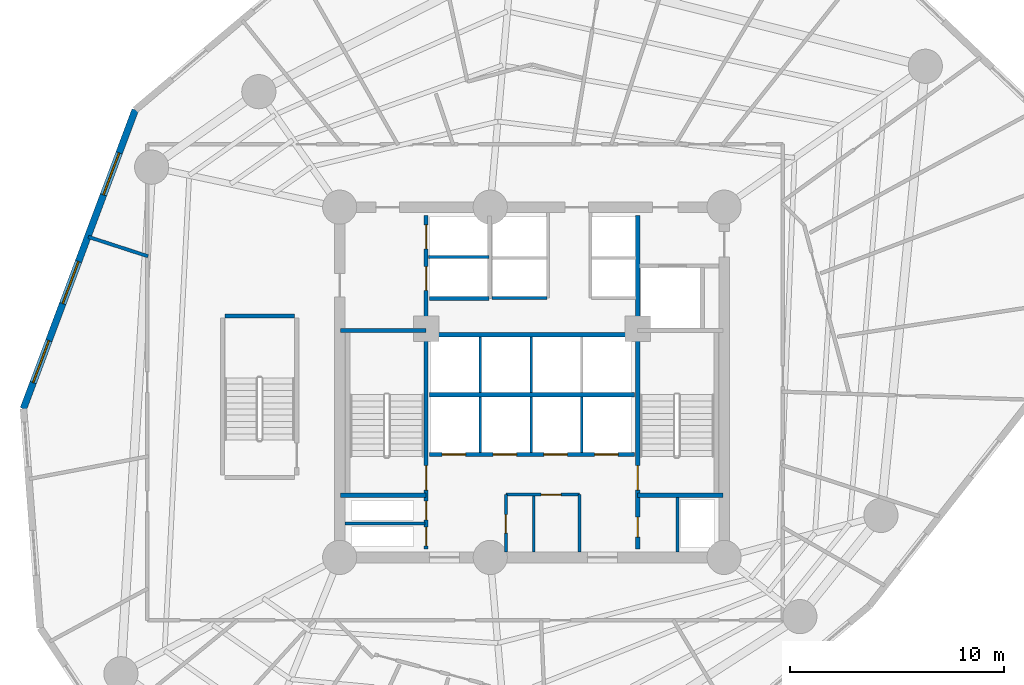
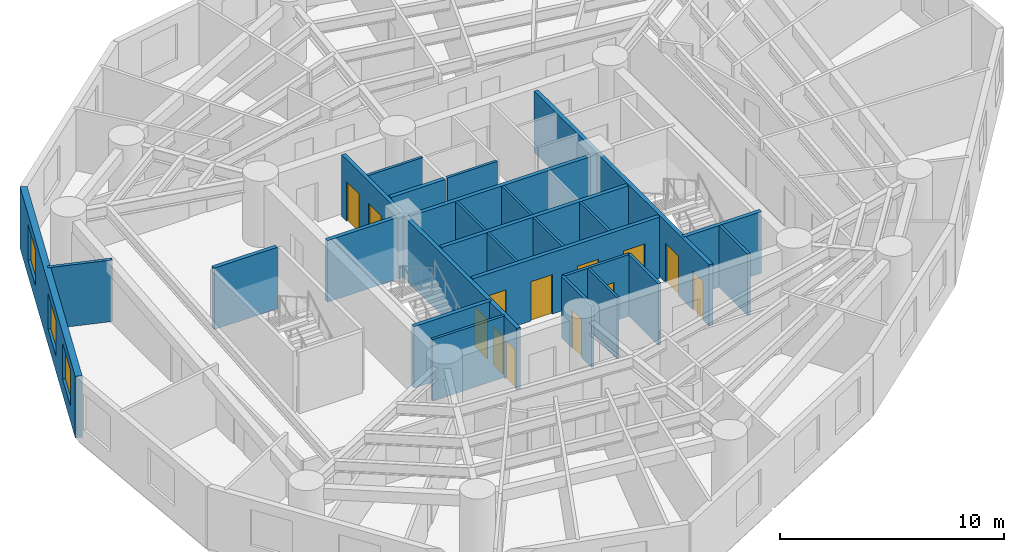
# One storey, part 4 of 8: 25 walls, 13 doors, 3 windows, 16 openings.
"""IFC4 building model written with IfcOpenShell, lengths in metres."""

from ifc_helpers import new_model, si_unit, direction, frame, frame_2d, origin, origin_with_axes, place, context, subcontext, project, spatial, rectangle, extrude, source, transform, mapped, material, layer, layer_set, type_object, element, fill, save


model = new_model("IFC4")

# Units and contexts
model_context = context("Model", 3, precision=1e-05, world=origin(), true_north=direction((0.0, 1.0)))
body_context = subcontext(model_context, "Body", "Model", "MODEL_VIEW")
ifc_project = project(units=[si_unit("LENGTHUNIT", "METRE"), si_unit("AREAUNIT", "SQUARE_METRE"), si_unit("VOLUMEUNIT", "CUBIC_METRE"), si_unit("PLANEANGLEUNIT", "RADIAN"), si_unit("MASSUNIT", "GRAM", prefix="KILO")], contexts=[model_context])

# Site, building, storey
site_placement = place(None, origin())
site = spatial("IfcSite", under=ifc_project, at=site_placement, CompositionType="ELEMENT")
building_placement = place(site_placement, origin())
building = spatial("IfcBuilding", under=site, at=building_placement, Name="Karkom Vertical University and Central Library", CompositionType="ELEMENT")
storey_placement = place(building_placement, frame((0.0, 0.0, 58.89990234375)))
storey = spatial("IfcBuildingStorey", under=building, at=storey_placement, Name="L15", CompositionType="ELEMENT", Elevation=58.89990234375)

# Wall, openings, windows
ifc_material_1 = material(Name="Brick-faced precast concrete C45/55", Category="masonry")
ifc_layer_1 = layer(ifc_material_1, 0.320068359375)
ifc_layer_set_1 = layer_set([ifc_layer_1], Name="Brick-faced precast concrete C45/55")
wall_type_1 = type_object("IfcWallType", Name="ENV-WL-BRK-320", PredefinedType="SOLIDWALL", material=ifc_layer_set_1)
wall_1_placement = place(storey_placement, frame((9.929931640625, 39.25439453125, 0.0), z_axis=(0.0, 0.0, 1.0), x_axis=(-0.350578905963, -0.93653319786, 0.0)))
wall_1 = element("IfcWall", 1, at=wall_1_placement, inside=storey, type_object=wall_type_1, Name="Level 15 Brick-Faced Precast Facade Wall 02", PredefinedType="SOLIDWALL", context=body_context, shape_type="SweptSolid", body=[
    extrude(rectangle(XDim=14.938232421875, YDim=0.320068359375, at=frame_2d((7.46923828125, 0.0))), origin(), (0.0, 0.0, 1.0), 3.35009765625),
])
opening_1_placement = place(wall_1_placement, frame((2.148681640625, 0.0, 0.85009765625)))
opening_1 = element("IfcOpeningElement", 2, at=opening_1_placement, cuts=wall_1, Name="Opening WN-03", PredefinedType="OPENING", context=body_context, shape_type="SweptSolid", body=[
    extrude(rectangle(XDim=2.10009765625, YDim=1.949951171875, at=frame_2d((1.050048828125, 0.97509765625))), frame((0.0, 0.169921875, 0.0), z_axis=(0.0, -1.0, 0.0), x_axis=(1.0, 0.0, 0.0)), (0.0, 0.0, 1.0), 0.340087890625),
])
opening_2_placement = place(wall_1_placement, frame((7.582763671875, 0.0, 0.85009765625)))
opening_2 = element("IfcOpeningElement", 3, at=opening_2_placement, cuts=wall_1, Name="Opening WN-03", PredefinedType="OPENING", context=body_context, shape_type="SweptSolid", body=[
    extrude(rectangle(XDim=2.10009765625, YDim=1.949951171875, at=frame_2d((1.050048828125, 0.97509765625))), frame((0.0, 0.169921875, 0.0), z_axis=(0.0, -1.0, 0.0), x_axis=(1.0, 0.0, 0.0)), (0.0, 0.0, 1.0), 0.340087890625),
])
opening_3_placement = place(wall_1_placement, frame((11.533203125, 0.0, 0.85009765625)))
opening_3 = element("IfcOpeningElement", 4, at=opening_3_placement, cuts=wall_1, Name="Opening WN-03", PredefinedType="OPENING", context=body_context, shape_type="SweptSolid", body=[
    extrude(rectangle(XDim=2.10009765625, YDim=1.949951171875, at=frame_2d((1.050048828125, 0.97509765625))), frame((0.0, 0.169921875, 0.0), z_axis=(0.0, -1.0, 0.0), x_axis=(1.0, 0.0, 0.0)), (0.0, 0.0, 1.0), 0.340087890625),
])
ifc_material_2 = material(Name="Aluminium thermal-break frame with solar-control IGU", Category="aluminium")
window_type = type_object("IfcWindowType", Name="ENV-WIN-WN-03", PartitioningType="SINGLE_PANEL", PredefinedType="WINDOW", material=ifc_material_2)
shared_shape_1 = source(origin_with_axes(), body_context, "Body", "SweptSolid", [
    extrude(rectangle(XDim=2.10009765625, YDim=1.949951171875, at=frame_2d((1.050048828125, 0.97509765625))), frame((0.0, 0.030029296875, 0.0), z_axis=(0.0, -1.0, 0.0), x_axis=(1.0, 0.0, 0.0)), (0.0, 0.0, 1.0), 0.06005859375),
])
window_1_placement = place(opening_1_placement, origin())
window_1 = element("IfcWindow", 5, at=window_1_placement, inside=storey, type_object=window_type, Name="Level 15 Punched Window 2.1", OverallHeight=1.949951171875, OverallWidth=2.10009765625, PartitioningType="SINGLE_PANEL", PredefinedType="WINDOW", context=body_context, shape_type="MappedRepresentation", body=[
    mapped(shared_shape_1, transform((0.0, 0.0, 0.0), scale=1.0)),
])
fill(opening_1, window_1)
window_2_placement = place(opening_2_placement, origin())
window_2 = element("IfcWindow", 6, at=window_2_placement, inside=storey, type_object=window_type, Name="Level 15 Punched Window 2.2", OverallHeight=1.949951171875, OverallWidth=2.10009765625, PartitioningType="SINGLE_PANEL", PredefinedType="WINDOW", context=body_context, shape_type="MappedRepresentation", body=[
    mapped(shared_shape_1, transform((0.0, 0.0, 0.0), scale=1.0)),
])
fill(opening_2, window_2)
window_3_placement = place(opening_3_placement, origin())
window_3 = element("IfcWindow", 7, at=window_3_placement, inside=storey, type_object=window_type, Name="Level 15 Punched Window 2.3", OverallHeight=1.949951171875, OverallWidth=2.10009765625, PartitioningType="SINGLE_PANEL", PredefinedType="WINDOW", context=body_context, shape_type="MappedRepresentation", body=[
    mapped(shared_shape_1, transform((0.0, 0.0, 0.0), scale=1.0)),
])
fill(opening_3, window_3)

# Walls
ifc_material_3 = material(Name="Insulated metal-stud drywall 160mm", Category="gypsum")
ifc_layer_2 = layer(ifc_material_3, 0.159912109375)
ifc_layer_set_2 = layer_set([ifc_layer_2], Name="Insulated metal-stud drywall 160mm")
wall_type_2 = type_object("IfcWallType", Name="INT-WL-COR-160", PredefinedType="PARTITIONING", material=ifc_layer_set_2)
wall_2_placement = place(storey_placement, frame((10.528564453125, 32.400390625, 0.0), z_axis=(0.0, 0.0, 1.0), x_axis=(-0.951079197919, 0.308947178797, 0.0)))
element("IfcWall", 8, at=wall_2_placement, inside=storey, type_object=wall_type_2, Name="Level 15 Interior Partition Wall L15-PW-042", PredefinedType="PARTITIONING", context=body_context, shape_type="SweptSolid", body=[
    extrude(rectangle(XDim=2.941162109375, YDim=0.159912109375, at=frame_2d((1.470703125, 0.0))), origin(), (0.0, 0.0, 1.0), 3.35009765625),
])
ifc_material_4 = material(Name="Moisture-resistant drywall 120mm", Category="gypsum")
ifc_layer_3 = layer(ifc_material_4, 0.1201171875)
ifc_layer_set_3 = layer_set([ifc_layer_3], Name="Moisture-resistant drywall 120mm")
wall_type_3 = type_object("IfcWallType", Name="INT-WL-INT-120", PredefinedType="PARTITIONING", material=ifc_layer_set_3)
wall_3_placement = place(storey_placement, frame((28.580078125, 18.556884765625, 0.0), z_axis=(0.0, 0.0, 1.0), x_axis=(0.0, 1.0, 0.0)))
element("IfcWall", 9, at=wall_3_placement, inside=storey, type_object=wall_type_3, Name="Level 15 Interior Partition Wall L15-CW-K2-DIV", PredefinedType="PARTITIONING", context=body_context, shape_type="SweptSolid", body=[
    extrude(rectangle(XDim=2.611083984375, YDim=0.1201171875, at=frame_2d((1.3056640625, 0.0))), origin(), (0.0, 0.0, 1.0), 3.35009765625),
])
ifc_layer_4 = layer(ifc_material_4, 0.1201171875)
ifc_layer_set_4 = layer_set([ifc_layer_4], Name="Moisture-resistant drywall 120mm")
wall_type_4 = type_object("IfcWallType", Name="INT-WL-INT-120H", PredefinedType="PARTITIONING", material=ifc_layer_set_4)
for number, where, z_axis, x_axis, name in (
    (10, (26.080078125, 23.219970703125, 0.0), (0.0, 0.0, 1.0), (0.0, 1.0, 0.0), "Level 15 Interior Partition Wall L15-CW-PL-DIV1"),
    (11, (28.4599609375, 23.219970703125, 0.0), (0.0, 0.0, 1.0), (0.0, 1.0, 0.0), "Level 15 Interior Partition Wall L15-CW-PL-DIV2"),
    (12, (30.840087890625, 23.219970703125, 0.0), (0.0, 0.0, 1.0), (0.0, 1.0, 0.0), "Level 15 Interior Partition Wall L15-CW-PL-DIV3"),
    (13, (26.080078125, 26.02001953125, 0.0), (0.0, 0.0, 1.0), (0.0, 1.0, 0.0), "Level 15 Interior Partition Wall L15-CW-PM-DIV1"),
    (14, (28.4599609375, 26.02001953125, 0.0), (0.0, 0.0, 1.0), (0.0, 1.0, 0.0), "Level 15 Interior Partition Wall L15-CW-PM-DIV2"),
):
    element("IfcWall", number, at=place(storey_placement, frame(where, z_axis=z_axis, x_axis=x_axis)), inside=storey, type_object=wall_type_4, Name=name, PredefinedType="PARTITIONING", context=body_context, shape_type="SweptSolid", body=[
        extrude(rectangle(XDim=2.60009765625, YDim=0.1201171875, at=frame_2d((1.300048828125, 0.0))), origin(), (0.0, 0.0, 1.0), 3.35009765625),
    ])

# Wall, opening, door
ifc_material_5 = material(Name="Metal-stud gypsum partition 140mm", Category="gypsum")
ifc_layer_5 = layer(ifc_material_5, 0.139892578125)
ifc_layer_set_5 = layer_set([ifc_layer_5], Name="Metal-stud gypsum partition 140mm")
wall_type_5 = type_object("IfcWallType", Name="INT-WL-SUB-140", PredefinedType="PARTITIONING", material=ifc_layer_set_5)
wall_4_placement = place(storey_placement, frame((27.280029296875, 21.239990234375, 0.0), z_axis=(0.0, 0.0, 1.0), x_axis=(1.0, 0.0, 0.0)))
wall_4 = element("IfcWall", 15, at=wall_4_placement, inside=storey, type_object=wall_type_5, Name="Level 15 Interior Partition Wall L15-CW-KBAY-N", PredefinedType="PARTITIONING", context=body_context, shape_type="SweptSolid", body=[
    extrude(rectangle(XDim=3.43994140625, YDim=0.139892578125, at=frame_2d((1.719970703125, 0.0))), origin(), (0.0, 0.0, 1.0), 3.35009765625),
])
opening_4_placement = place(wall_4_placement, frame((1.64990234375, 0.0, 0.0)))
opening_4 = element("IfcOpeningElement", 16, at=opening_4_placement, cuts=wall_4, Name="Opening D-WC1", PredefinedType="OPENING", context=body_context, shape_type="SweptSolid", body=[
    extrude(rectangle(XDim=0.93994140625, YDim=2.10009765625, at=frame_2d((0.469970703125, 1.050048828125))), frame((0.0, 0.080078125, 0.0), z_axis=(0.0, -1.0, 0.0), x_axis=(1.0, 0.0, 0.0)), (0.0, 0.0, 1.0), 0.159912109375),
])
ifc_material_6 = material(Name="Fire-rated laminate moisture-resistant door", Category="wood")
door_type_1 = type_object("IfcDoorType", Name="INT-DR-WC1", OperationType="NOTDEFINED", PredefinedType="DOOR", material=ifc_material_6)
shared_shape_2 = source(origin_with_axes(), body_context, "Body", "SweptSolid", [
    extrude(rectangle(XDim=0.93994140625, YDim=2.10009765625, at=frame_2d((0.469970703125, 1.050048828125))), frame((0.0, 0.02490234375, 0.0), z_axis=(0.0, -1.0, 0.0), x_axis=(1.0, 0.0, 0.0)), (0.0, 0.0, 1.0), 0.050048828125),
])
door_1_placement = place(opening_4_placement, origin())
door_1 = element("IfcDoor", 17, at=door_1_placement, inside=storey, type_object=door_type_1, Name="Level 15 Staff WC Door", OperationType="SINGLE_SWING_RIGHT", OverallHeight=2.10009765625, OverallWidth=0.93994140625, PredefinedType="DOOR", context=body_context, shape_type="MappedRepresentation", body=[
    mapped(shared_shape_2, transform((0.0, 0.0, 0.0), scale=1.0)),
])
fill(opening_4, door_1)

wall_5_placement = place(storey_placement, frame((27.280029296875, 18.550048828125, 0.0), z_axis=(0.0, 0.0, 1.0), x_axis=(0.0, 1.0, 0.0)))
wall_5 = element("IfcWall", 18, at=wall_5_placement, inside=storey, type_object=wall_type_5, Name="Level 15 Interior Partition Wall L15-CW-KBAY-W", PredefinedType="PARTITIONING", context=body_context, shape_type="SweptSolid", body=[
    extrude(rectangle(XDim=2.68994140625, YDim=0.139892578125, at=frame_2d((1.344970703125, 0.0))), origin(), (0.0, 0.0, 1.0), 3.35009765625),
])
opening_5_placement = place(wall_5_placement, frame((0.889892578125, 0.0, 0.0)))
opening_5 = element("IfcOpeningElement", 19, at=opening_5_placement, cuts=wall_5, Name="Opening D-BATH", PredefinedType="OPENING", context=body_context, shape_type="SweptSolid", body=[
    extrude(rectangle(XDim=0.860107421875, YDim=2.10009765625, at=frame_2d((0.43017578125, 1.050048828125))), frame((0.0, 0.080078125, 0.0), z_axis=(0.0, -1.0, 0.0), x_axis=(1.0, 0.0, 0.0)), (0.0, 0.0, 1.0), 0.159912109375),
])
ifc_material_7 = material(Name="Moisture-resistant oak door", Category="wood")
door_type_2 = type_object("IfcDoorType", Name="INT-DR-BATH", OperationType="NOTDEFINED", PredefinedType="DOOR", material=ifc_material_7)
shared_shape_3 = source(origin_with_axes(), body_context, "Body", "SweptSolid", [
    extrude(rectangle(XDim=0.860107421875, YDim=2.10009765625, at=frame_2d((0.43017578125, 1.050048828125))), frame((0.0, 0.02490234375, 0.0), z_axis=(0.0, -1.0, 0.0), x_axis=(1.0, 0.0, 0.0)), (0.0, 0.0, 1.0), 0.050048828125),
])
door_2_placement = place(opening_5_placement, origin())
door_2 = element("IfcDoor", 20, at=door_2_placement, inside=storey, type_object=door_type_2, Name="Level 15 Cleaners Store Door", OperationType="SINGLE_SWING_LEFT", OverallHeight=2.10009765625, OverallWidth=0.860107421875, PredefinedType="DOOR", context=body_context, shape_type="MappedRepresentation", body=[
    mapped(shared_shape_3, transform((0.0, 0.0, 0.0), scale=1.0)),
])
fill(opening_5, door_2)

# Walls
wall_6_placement = place(storey_placement, frame((30.719970703125, 18.550048828125, 0.0), z_axis=(0.0, 0.0, 1.0), x_axis=(0.0, 1.0, 0.0)))
element("IfcWall", 21, at=wall_6_placement, inside=storey, type_object=wall_type_5, Name="Level 15 Interior Partition Wall L15-CW-KBAY-E", PredefinedType="PARTITIONING", context=body_context, shape_type="SweptSolid", body=[
    extrude(rectangle(XDim=2.68994140625, YDim=0.139892578125, at=frame_2d((1.344970703125, 0.0))), origin(), (0.0, 0.0, 1.0), 3.35009765625),
])
ifc_layer_6 = layer(ifc_material_5, 0.139892578125)
ifc_layer_set_6 = layer_set([ifc_layer_6], Name="Metal-stud gypsum partition 140mm")
wall_type_6 = type_object("IfcWallType", Name="INT-WL-SUB-140H", PredefinedType="PARTITIONING", material=ifc_layer_set_6)
wall_7_placement = place(storey_placement, frame((19.757080078125, 19.889892578125, 0.0), z_axis=(0.0, 0.0, 1.0), x_axis=(1.0, 0.0, 0.0)))
element("IfcWall", 22, at=wall_7_placement, inside=storey, type_object=wall_type_6, Name="Level 15 Interior Partition Wall L15-CW-RIS-W", PredefinedType="PARTITIONING", context=body_context, shape_type="SweptSolid", body=[
    extrude(rectangle(XDim=3.7392578125, YDim=0.139892578125, at=frame_2d((1.86962890625, 0.0))), origin(), (0.0, 0.0, 1.0), 3.35009765625),
])
wall_8_placement = place(storey_placement, frame((26.6201171875, 30.449951171875, 0.0), z_axis=(0.0, 0.0, 1.0), x_axis=(1.0, 0.0, 0.0)))
element("IfcWall", 23, at=wall_8_placement, inside=storey, type_object=wall_type_6, Name="Level 15 Interior Partition Wall L15-CW-PH-S1", PredefinedType="PARTITIONING", context=body_context, shape_type="SweptSolid", body=[
    extrude(rectangle(XDim=2.579833984375, YDim=0.139892578125, at=frame_2d((1.2900390625, 0.0))), origin(), (0.0, 0.0, 1.0), 3.35009765625),
])
wall_9_placement = place(storey_placement, frame((35.320068359375, 18.556884765625, 0.0), z_axis=(0.0, 0.0, 1.0), x_axis=(0.0, 1.0, 0.0)))
element("IfcWall", 24, at=wall_9_placement, inside=storey, type_object=wall_type_6, Name="Level 15 Interior Partition Wall L15-CW-RIS-E", PredefinedType="PARTITIONING", context=body_context, shape_type="SweptSolid", body=[
    extrude(rectangle(XDim=2.553466796875, YDim=0.139892578125, at=frame_2d((1.27685546875, 0.0))), origin(), (0.0, 0.0, 1.0), 3.35009765625),
])
ifc_layer_7 = layer(ifc_material_5, 0.139892578125)
ifc_layer_set_7 = layer_set([ifc_layer_7], Name="Metal-stud gypsum partition 140mm")
wall_type_7 = type_object("IfcWallType", Name="INT-WL-SUB-140X", PredefinedType="PARTITIONING", material=ifc_layer_set_7)
wall_10_placement = place(storey_placement, frame((23.652099609375, 32.3701171875, 0.0), z_axis=(0.0, 0.0, 1.0), x_axis=(1.0, 0.0, 0.0)))
element("IfcWall", 25, at=wall_10_placement, inside=storey, type_object=wall_type_7, Name="Level 15 Interior Partition Wall L15-CW-FFL-M", PredefinedType="PARTITIONING", context=body_context, shape_type="SweptSolid", body=[
    extrude(rectangle(XDim=2.827880859375, YDim=0.139892578125, at=frame_2d((1.4140625, 0.0))), origin(), (0.0, 0.0, 1.0), 3.35009765625),
])

# Wall, openings, doors
ifc_material_8 = material(Name="Concrete C45/55", Category="concrete")
ifc_layer_8 = layer(ifc_material_8, 0.199951171875)
ifc_layer_set_8 = layer_set([ifc_layer_8], Name="Concrete C45/55")
wall_type_8 = type_object("IfcWallType", Name="STR-WL-ST-200", PredefinedType="SHEAR", material=ifc_layer_set_8)
wall_11_placement = place(storey_placement, frame((23.544921875, 18.699951171875, 0.0), z_axis=(0.0, 0.0, 1.0), x_axis=(0.0, 1.0, 0.0)))
wall_11 = element("IfcWall", 26, at=wall_11_placement, inside=storey, type_object=wall_type_8, Name="Level 15 Core Shaft Wall L15-CW-ST1-E", PredefinedType="SHEAR", context=body_context, shape_type="SweptSolid", body=[
    extrude(rectangle(XDim=15.60009765625, YDim=0.199951171875, at=frame_2d((7.800048828125, 0.0))), origin(), (0.0, 0.0, 1.0), 3.35009765625),
])
opening_6_placement = place(wall_11_placement, frame((2.75, 0.0, 0.0)))
opening_6 = element("IfcOpeningElement", 27, at=opening_6_placement, cuts=wall_11, Name="Opening FD-ST1", PredefinedType="OPENING", context=body_context, shape_type="SweptSolid", body=[
    extrude(rectangle(XDim=1.14990234375, YDim=2.14990234375, at=frame_2d((0.574951171875, 1.074951171875))), frame((0.0, 0.10986328125, 0.0), z_axis=(0.0, -1.0, 0.0), x_axis=(1.0, 0.0, 0.0)), (0.0, 0.0, 1.0), 0.219970703125),
])
opening_7_placement = place(wall_11_placement, frame((0.139892578125, 0.0, 0.0)))
opening_7 = element("IfcOpeningElement", 28, at=opening_7_placement, cuts=wall_11, Name="Opening FD-RIS", PredefinedType="OPENING", context=body_context, shape_type="SweptSolid", body=[
    extrude(rectangle(XDim=0.8798828125, YDim=2.10009765625, at=frame_2d((0.43994140625, 1.050048828125))), frame((0.0, 0.10986328125, 0.0), z_axis=(0.0, -1.0, 0.0), x_axis=(1.0, 0.0, 0.0)), (0.0, 0.0, 1.0), 0.219970703125),
])
opening_8_placement = place(wall_11_placement, frame((1.360107421875, 0.0, 0.0)))
opening_8 = element("IfcOpeningElement", 29, at=opening_8_placement, cuts=wall_11, Name="Opening FD-RIS", PredefinedType="OPENING", context=body_context, shape_type="SweptSolid", body=[
    extrude(rectangle(XDim=0.8798828125, YDim=2.10009765625, at=frame_2d((0.43994140625, 1.050048828125))), frame((0.0, 0.10986328125, 0.0), z_axis=(0.0, -1.0, 0.0), x_axis=(1.0, 0.0, 0.0)), (0.0, 0.0, 1.0), 0.219970703125),
])
opening_9_placement = place(wall_11_placement, frame((12.10009765625, 0.0, 0.0)))
opening_9 = element("IfcOpeningElement", 30, at=opening_9_placement, cuts=wall_11, Name="Opening LD-FFL", PredefinedType="OPENING", context=body_context, shape_type="SweptSolid", body=[
    extrude(rectangle(XDim=1.1201171875, YDim=2.14990234375, at=frame_2d((0.56005859375, 1.074951171875))), frame((0.0, 0.10986328125, 0.0), z_axis=(0.0, -1.0, 0.0), x_axis=(1.0, 0.0, 0.0)), (0.0, 0.0, 1.0), 0.219970703125),
])
opening_10_placement = place(wall_11_placement, frame((14.050048828125, 0.0, 0.0)))
opening_10 = element("IfcOpeningElement", 31, at=opening_10_placement, cuts=wall_11, Name="Opening LD-FFL", PredefinedType="OPENING", context=body_context, shape_type="SweptSolid", body=[
    extrude(rectangle(XDim=1.1201171875, YDim=2.14990234375, at=frame_2d((0.56005859375, 1.074951171875))), frame((0.0, 0.10986328125, 0.0), z_axis=(0.0, -1.0, 0.0), x_axis=(1.0, 0.0, 0.0)), (0.0, 0.0, 1.0), 0.219970703125),
])
ifc_material_9 = material(Name="Painted steel acoustic fire door", Category="steel")
door_type_3 = type_object("IfcDoorType", Name="INT-DR-ST1", OperationType="NOTDEFINED", PredefinedType="DOOR", material=ifc_material_9)
shared_shape_4 = source(origin_with_axes(), body_context, "Body", "SweptSolid", [
    extrude(rectangle(XDim=1.14990234375, YDim=2.14990234375, at=frame_2d((0.574951171875, 1.074951171875))), frame((0.0, 0.02490234375, 0.0), z_axis=(0.0, -1.0, 0.0), x_axis=(1.0, 0.0, 0.0)), (0.0, 0.0, 1.0), 0.050048828125),
])
door_3_placement = place(opening_6_placement, origin())
door_3 = element("IfcDoor", 32, at=door_3_placement, inside=storey, type_object=door_type_3, Name="Level 15 Stair ST-1 Fire Door", OperationType="SINGLE_SWING_RIGHT", OverallHeight=2.14990234375, OverallWidth=1.14990234375, PredefinedType="DOOR", context=body_context, shape_type="MappedRepresentation", body=[
    mapped(shared_shape_4, transform((0.0, 0.0, 0.0), scale=1.0)),
])
fill(opening_6, door_3)
ifc_material_10 = material(Name="Painted steel riser access door", Category="steel")
door_type_4 = type_object("IfcDoorType", Name="INT-DR-RIS", OperationType="NOTDEFINED", PredefinedType="DOOR", material=ifc_material_10)
shared_shape_5 = source(origin_with_axes(), body_context, "Body", "SweptSolid", [
    extrude(rectangle(XDim=0.8798828125, YDim=2.10009765625, at=frame_2d((0.43994140625, 1.050048828125))), frame((0.0, 0.02490234375, 0.0), z_axis=(0.0, -1.0, 0.0), x_axis=(1.0, 0.0, 0.0)), (0.0, 0.0, 1.0), 0.050048828125),
])
door_4_placement = place(opening_7_placement, origin())
door_4 = element("IfcDoor", 33, at=door_4_placement, inside=storey, type_object=door_type_4, Name="Level 15 Electrical Riser Access Door", OperationType="SINGLE_SWING_RIGHT", OverallHeight=2.10009765625, OverallWidth=0.8798828125, PredefinedType="DOOR", context=body_context, shape_type="MappedRepresentation", body=[
    mapped(shared_shape_5, transform((0.0, 0.0, 0.0), scale=1.0)),
])
fill(opening_7, door_4)
door_5_placement = place(opening_8_placement, origin())
door_5 = element("IfcDoor", 34, at=door_5_placement, inside=storey, type_object=door_type_4, Name="Level 15 Telecom Riser Access Door", OperationType="SINGLE_SWING_LEFT", OverallHeight=2.10009765625, OverallWidth=0.8798828125, PredefinedType="DOOR", context=body_context, shape_type="MappedRepresentation", body=[
    mapped(shared_shape_5, transform((0.0, 0.0, 0.0), scale=1.0)),
])
fill(opening_8, door_5)
ifc_material_11 = material(Name="Fire-rated stainless-steel landing door", Category="steel")
door_type_5 = type_object("IfcDoorType", Name="INT-DR-LD-FFL", OperationType="SLIDING_TO_LEFT", PredefinedType="DOOR", material=ifc_material_11)
shared_shape_6 = source(origin_with_axes(), body_context, "Body", "SweptSolid", [
    extrude(rectangle(XDim=1.1201171875, YDim=2.14990234375, at=frame_2d((0.56005859375, 1.074951171875))), frame((0.0, 0.02490234375, 0.0), z_axis=(0.0, -1.0, 0.0), x_axis=(1.0, 0.0, 0.0)), (0.0, 0.0, 1.0), 0.050048828125),
])
door_6_placement = place(opening_9_placement, origin())
door_6 = element("IfcDoor", 35, at=door_6_placement, inside=storey, type_object=door_type_5, Name="Level 15 Firefighting Lift FFL-1 Landing Door", OperationType="SLIDING_TO_LEFT", OverallHeight=2.14990234375, OverallWidth=1.1201171875, PredefinedType="DOOR", context=body_context, shape_type="MappedRepresentation", body=[
    mapped(shared_shape_6, transform((0.0, 0.0, 0.0), scale=1.0)),
])
fill(opening_9, door_6)
door_7_placement = place(opening_10_placement, origin())
door_7 = element("IfcDoor", 36, at=door_7_placement, inside=storey, type_object=door_type_5, Name="Level 15 Firefighting Lift FFL-2 Landing Door", OperationType="SLIDING_TO_RIGHT", OverallHeight=2.14990234375, OverallWidth=1.1201171875, PredefinedType="DOOR", context=body_context, shape_type="MappedRepresentation", body=[
    mapped(shared_shape_6, transform((0.0, 0.0, 0.0), scale=1.0)),
])
fill(opening_10, door_7)

wall_12_placement = place(storey_placement, frame((33.455078125, 18.699951171875, 0.0), z_axis=(0.0, 0.0, 1.0), x_axis=(0.0, 1.0, 0.0)))
wall_12 = element("IfcWall", 37, at=wall_12_placement, inside=storey, type_object=wall_type_8, Name="Level 15 Core Shaft Wall L15-CW-ST2-W", PredefinedType="SHEAR", context=body_context, shape_type="SweptSolid", body=[
    extrude(rectangle(XDim=15.60009765625, YDim=0.199951171875, at=frame_2d((7.800048828125, 0.0))), origin(), (0.0, 0.0, 1.0), 3.35009765625),
])
opening_11_placement = place(wall_12_placement, frame((2.75, 0.0, 0.0)))
opening_11 = element("IfcOpeningElement", 38, at=opening_11_placement, cuts=wall_12, Name="Opening FD-ST1", PredefinedType="OPENING", context=body_context, shape_type="SweptSolid", body=[
    extrude(rectangle(XDim=1.14990234375, YDim=2.14990234375, at=frame_2d((0.574951171875, 1.074951171875))), frame((0.0, 0.10986328125, 0.0), z_axis=(0.0, -1.0, 0.0), x_axis=(1.0, 0.0, 0.0)), (0.0, 0.0, 1.0), 0.219970703125),
])
opening_12_placement = place(wall_12_placement, frame((0.550048828125, 0.0, 0.0)))
opening_12 = element("IfcOpeningElement", 39, at=opening_12_placement, cuts=wall_12, Name="Opening D-WC1", PredefinedType="OPENING", context=body_context, shape_type="SweptSolid", body=[
    extrude(rectangle(XDim=0.93994140625, YDim=2.10009765625, at=frame_2d((0.469970703125, 1.050048828125))), frame((0.0, 0.10986328125, 0.0), z_axis=(0.0, -1.0, 0.0), x_axis=(1.0, 0.0, 0.0)), (0.0, 0.0, 1.0), 0.219970703125),
])
door_8_placement = place(opening_11_placement, origin())
door_8 = element("IfcDoor", 40, at=door_8_placement, inside=storey, type_object=door_type_3, Name="Level 15 Stair ST-2 Fire Door", OperationType="SINGLE_SWING_LEFT", OverallHeight=2.14990234375, OverallWidth=1.14990234375, PredefinedType="DOOR", context=body_context, shape_type="MappedRepresentation", body=[
    mapped(shared_shape_4, transform((0.0, 0.0, 0.0), scale=1.0)),
])
fill(opening_11, door_8)
door_9_placement = place(opening_12_placement, origin())
door_9 = element("IfcDoor", 41, at=door_9_placement, inside=storey, type_object=door_type_1, Name="Level 15 Accessible WC Door", OperationType="SINGLE_SWING_RIGHT", OverallHeight=2.10009765625, OverallWidth=0.93994140625, PredefinedType="DOOR", context=body_context, shape_type="MappedRepresentation", body=[
    mapped(shared_shape_2, transform((0.0, 0.0, 0.0), scale=1.0)),
])
fill(opening_12, door_9)

wall_13_placement = place(storey_placement, frame((23.699951171875, 23.1201171875, 0.0), z_axis=(0.0, 0.0, 1.0), x_axis=(1.0, 0.0, 0.0)))
wall_13 = element("IfcWall", 42, at=wall_13_placement, inside=storey, type_object=wall_type_8, Name="Level 15 Core Shaft Wall L15-CW-B1-S", PredefinedType="SHEAR", context=body_context, shape_type="SweptSolid", body=[
    extrude(rectangle(XDim=9.60009765625, YDim=0.199951171875, at=frame_2d((4.800048828125, 0.0))), origin(), (0.0, 0.0, 1.0), 3.35009765625),
])
opening_13_placement = place(wall_13_placement, frame((0.60009765625, 0.0, 0.0)))
opening_13 = element("IfcOpeningElement", 43, at=opening_13_placement, cuts=wall_13, Name="Opening LD-PAX", PredefinedType="OPENING", context=body_context, shape_type="SweptSolid", body=[
    extrude(rectangle(XDim=1.10009765625, YDim=2.14990234375, at=frame_2d((0.550048828125, 1.074951171875))), frame((0.0, 0.10986328125, 0.0), z_axis=(0.0, -1.0, 0.0), x_axis=(1.0, 0.0, 0.0)), (0.0, 0.0, 1.0), 0.219970703125),
])
opening_14_placement = place(wall_13_placement, frame((2.97998046875, 0.0, 0.0)))
opening_14 = element("IfcOpeningElement", 44, at=opening_14_placement, cuts=wall_13, Name="Opening LD-PAX", PredefinedType="OPENING", context=body_context, shape_type="SweptSolid", body=[
    extrude(rectangle(XDim=1.10009765625, YDim=2.14990234375, at=frame_2d((0.550048828125, 1.074951171875))), frame((0.0, 0.10986328125, 0.0), z_axis=(0.0, -1.0, 0.0), x_axis=(1.0, 0.0, 0.0)), (0.0, 0.0, 1.0), 0.219970703125),
])
opening_15_placement = place(wall_13_placement, frame((5.360107421875, 0.0, 0.0)))
opening_15 = element("IfcOpeningElement", 45, at=opening_15_placement, cuts=wall_13, Name="Opening LD-PAX", PredefinedType="OPENING", context=body_context, shape_type="SweptSolid", body=[
    extrude(rectangle(XDim=1.10009765625, YDim=2.14990234375, at=frame_2d((0.550048828125, 1.074951171875))), frame((0.0, 0.10986328125, 0.0), z_axis=(0.0, -1.0, 0.0), x_axis=(1.0, 0.0, 0.0)), (0.0, 0.0, 1.0), 0.219970703125),
])
opening_16_placement = place(wall_13_placement, frame((7.739990234375, 0.0, 0.0)))
opening_16 = element("IfcOpeningElement", 46, at=opening_16_placement, cuts=wall_13, Name="Opening LD-PAX", PredefinedType="OPENING", context=body_context, shape_type="SweptSolid", body=[
    extrude(rectangle(XDim=1.10009765625, YDim=2.14990234375, at=frame_2d((0.550048828125, 1.074951171875))), frame((0.0, 0.10986328125, 0.0), z_axis=(0.0, -1.0, 0.0), x_axis=(1.0, 0.0, 0.0)), (0.0, 0.0, 1.0), 0.219970703125),
])
ifc_material_12 = material(Name="Brushed stainless-steel landing door", Category="steel")
door_type_6 = type_object("IfcDoorType", Name="INT-DR-LD-PAX", OperationType="SLIDING_TO_LEFT", PredefinedType="DOOR", material=ifc_material_12)
shared_shape_7 = source(origin_with_axes(), body_context, "Body", "SweptSolid", [
    extrude(rectangle(XDim=1.10009765625, YDim=2.14990234375, at=frame_2d((0.550048828125, 1.074951171875))), frame((0.0, 0.02490234375, 0.0), z_axis=(0.0, -1.0, 0.0), x_axis=(1.0, 0.0, 0.0)), (0.0, 0.0, 1.0), 0.050048828125),
])
door_10_placement = place(opening_13_placement, origin())
door_10 = element("IfcDoor", 47, at=door_10_placement, inside=storey, type_object=door_type_6, Name="Level 15 Lift PL-1 Landing Door", OperationType="SLIDING_TO_LEFT", OverallHeight=2.14990234375, OverallWidth=1.10009765625, PredefinedType="DOOR", context=body_context, shape_type="MappedRepresentation", body=[
    mapped(shared_shape_7, transform((0.0, 0.0, 0.0), scale=1.0)),
])
fill(opening_13, door_10)
door_11_placement = place(opening_14_placement, origin())
door_11 = element("IfcDoor", 48, at=door_11_placement, inside=storey, type_object=door_type_6, Name="Level 15 Lift PL-2 Landing Door", OperationType="SLIDING_TO_RIGHT", OverallHeight=2.14990234375, OverallWidth=1.10009765625, PredefinedType="DOOR", context=body_context, shape_type="MappedRepresentation", body=[
    mapped(shared_shape_7, transform((0.0, 0.0, 0.0), scale=1.0)),
])
fill(opening_14, door_11)
door_12_placement = place(opening_15_placement, origin())
door_12 = element("IfcDoor", 49, at=door_12_placement, inside=storey, type_object=door_type_6, Name="Level 15 Lift PL-3 Landing Door", OperationType="SLIDING_TO_LEFT", OverallHeight=2.14990234375, OverallWidth=1.10009765625, PredefinedType="DOOR", context=body_context, shape_type="MappedRepresentation", body=[
    mapped(shared_shape_7, transform((0.0, 0.0, 0.0), scale=1.0)),
])
fill(opening_15, door_12)
door_13_placement = place(opening_16_placement, origin())
door_13 = element("IfcDoor", 50, at=door_13_placement, inside=storey, type_object=door_type_6, Name="Level 15 Lift PL-4 Landing Door", OperationType="SLIDING_TO_RIGHT", OverallHeight=2.14990234375, OverallWidth=1.10009765625, PredefinedType="DOOR", context=body_context, shape_type="MappedRepresentation", body=[
    mapped(shared_shape_7, transform((0.0, 0.0, 0.0), scale=1.0)),
])
fill(opening_16, door_13)

# Walls
for number, where, z_axis, x_axis, name in (
    (51, (23.699951171875, 25.919921875, 0.0), (0.0, 0.0, 1.0), (1.0, 0.0, 0.0), "Level 15 Core Shaft Wall L15-CW-B1-N"),
    (52, (23.699951171875, 28.719970703125, 0.0), (0.0, 0.0, 1.0), (1.0, 0.0, 0.0), "Level 15 Core Shaft Wall L15-CW-B2-N"),
):
    element("IfcWall", number, at=place(storey_placement, frame(where, z_axis=z_axis, x_axis=x_axis)), inside=storey, type_object=wall_type_8, Name=name, PredefinedType="SHEAR", context=body_context, shape_type="SweptSolid", body=[
        extrude(rectangle(XDim=9.60009765625, YDim=0.199951171875, at=frame_2d((4.800048828125, 0.0))), origin(), (0.0, 0.0, 1.0), 3.35009765625),
    ])
for number, where, z_axis, x_axis, name in (
    (53, (33.455078125, 21.215087890625, 0.0), (0.0, 0.0, 1.0), (1.0, 0.0, 0.0), "Level 15 Core Shaft Wall L15-CW-ST2-S"),
    (54, (19.550048828125, 21.215087890625, 0.0), (0.0, 0.0, 1.0), (1.0, 0.0, 0.0), "Level 15 Core Shaft Wall L15-CW-ST1-S"),
    (55, (19.550048828125, 28.925048828125, 0.0), (0.0, 0.0, 1.0), (1.0, 0.0, 0.0), "Level 15 Core Shaft Wall L15-CW-ST1-N"),
):
    element("IfcWall", number, at=place(storey_placement, frame(where, z_axis=z_axis, x_axis=x_axis)), inside=storey, type_object=wall_type_8, Name=name, PredefinedType="SHEAR", context=body_context, shape_type="SweptSolid", body=[
        extrude(rectangle(XDim=3.994873046875, YDim=0.199951171875, at=frame_2d((1.99755859375, 0.0))), origin(), (0.0, 0.0, 1.0), 3.35009765625),
    ])
wall_14_placement = place(storey_placement, frame((14.1201171875, 29.60498046875, 0.0), z_axis=(0.0, 0.0, 1.0), x_axis=(1.0, 0.0, 0.0)))
element("IfcWall", 56, at=wall_14_placement, inside=storey, type_object=wall_type_8, Name="Level 15 Core Shaft Wall L15-W-ST3-N", PredefinedType="SHEAR", context=body_context, shape_type="SweptSolid", body=[
    extrude(rectangle(XDim=3.259765625, YDim=0.199951171875, at=frame_2d((1.6298828125, 0.0))), origin(), (0.0, 0.0, 1.0), 3.35009765625),
])
wall_15_placement = place(storey_placement, frame((23.699951171875, 30.419921875, 0.0), z_axis=(0.0, 0.0, 1.0), x_axis=(1.0, 0.0, 0.0)))
element("IfcWall", 57, at=wall_15_placement, inside=storey, type_object=wall_type_8, Name="Level 15 Core Shaft Wall L15-CW-FFL-S", PredefinedType="SHEAR", context=body_context, shape_type="SweptSolid", body=[
    extrude(rectangle(XDim=2.780029296875, YDim=0.199951171875, at=frame_2d((1.39013671875, 0.0))), origin(), (0.0, 0.0, 1.0), 3.35009765625),
])

save(model, "model.ifc")
